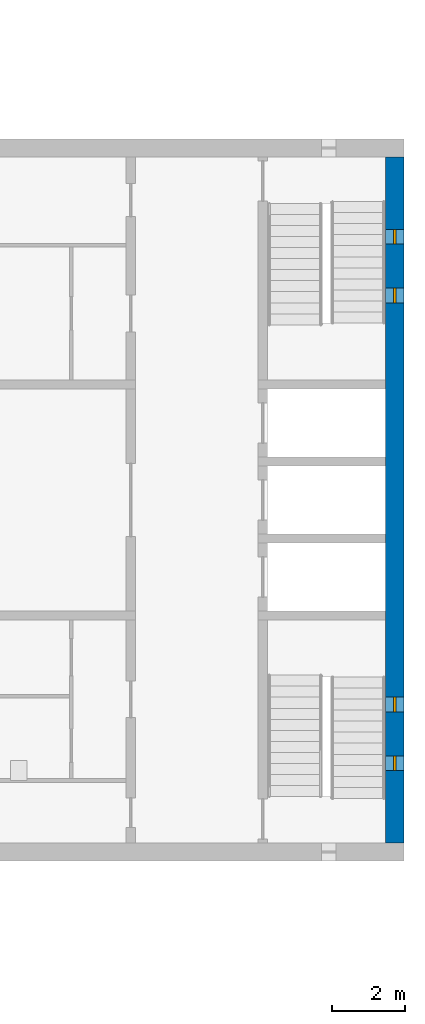
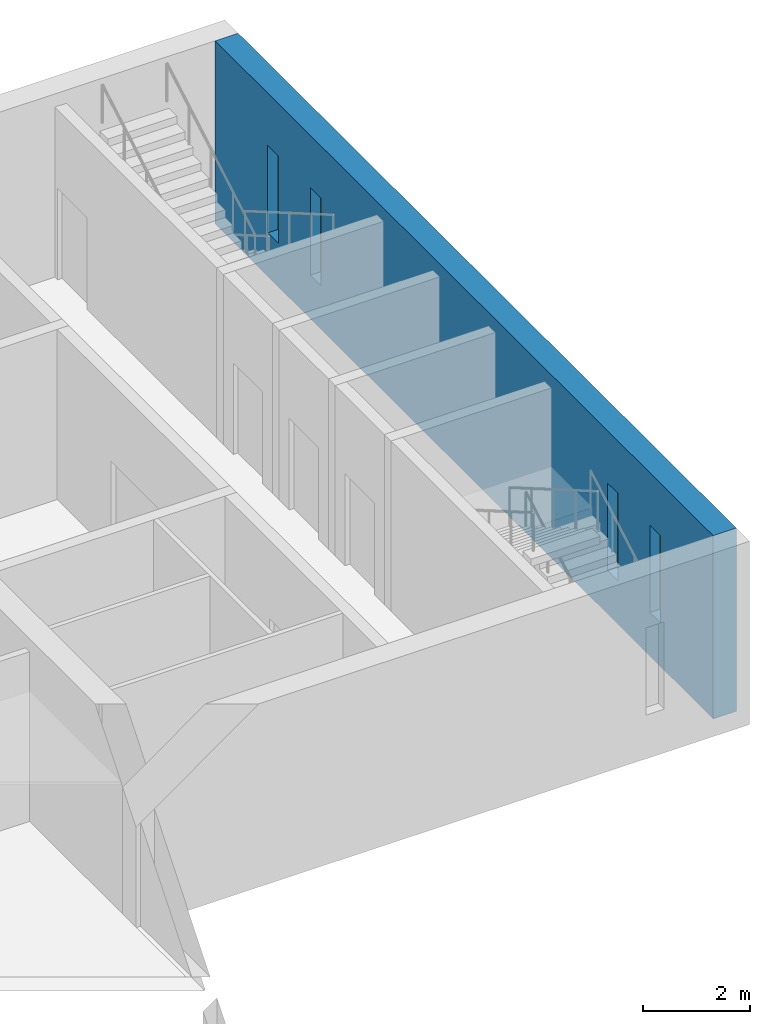
# One storey, part 12 of 15: 4 windows, 1 wall, 4 openings.
"""IFC4 building model written with IfcOpenShell, lengths in metres."""

from ifc_helpers import new_model, si_unit, direction, frame, frame_2d, origin, place, context, subcontext, project, spatial, rectangle, extrude, material, layer, layer_set, type_object, element, fill, save


model = new_model("IFC4")

# Units and contexts
model_context = context("Model", 3, precision=1e-05, world=origin(), true_north=direction((0.0, 1.0)))
body_context = subcontext(model_context, "Body", "Model", "MODEL_VIEW")
ifc_project = project(units=[si_unit("LENGTHUNIT", "METRE"), si_unit("AREAUNIT", "SQUARE_METRE"), si_unit("VOLUMEUNIT", "CUBIC_METRE"), si_unit("PLANEANGLEUNIT", "RADIAN"), si_unit("MASSUNIT", "GRAM", prefix="KILO")], contexts=[model_context])

# Site, building, storey
site_placement = place(None, origin())
site = spatial("IfcSite", under=ifc_project, at=site_placement, CompositionType="ELEMENT")
building_placement = place(site_placement, origin())
building = spatial("IfcBuilding", under=site, at=building_placement, Name="Fogon Plaza Fire Station and Headquarters Tower", CompositionType="ELEMENT")
storey_placement = place(building_placement, frame((0.0, 0.0, 60.0)))
storey = spatial("IfcBuildingStorey", under=building, at=storey_placement, Name="L15", CompositionType="ELEMENT", Elevation=60.0)

# Wall, openings, windows
ifc_material_1 = material(Name="Concrete C40", Category="concrete")
ifc_layer = layer(ifc_material_1, 0.5)
ifc_layer_set = layer_set([ifc_layer], Name="Concrete C40")
wall_type = type_object("IfcWallType", Name="Shear wall 500 SW50", PredefinedType="SHEAR", material=ifc_layer_set)
wall_placement = place(storey_placement, frame((76.800048828125, 33.85009765625, 0.0), z_axis=(0.0, 0.0, 1.0), x_axis=(0.0, 1.0, 0.0)))
wall = element("IfcWall", 1, at=wall_placement, inside=storey, type_object=wall_type, Name="wall-coreB-E-L15", PredefinedType="SHEAR", context=body_context, shape_type="SweptSolid", body=[
    extrude(rectangle(XDim=18.699951171875, YDim=0.5, at=frame_2d((9.35009765625, 0.0))), origin(), (0.0, 0.0, 1.0), 4.199951171875),
])
opening_1_placement = place(wall_placement, frame((1.97509765625, 0.0, 1.0)))
opening_1 = element("IfcOpeningElement", 2, at=opening_1_placement, cuts=wall, Name="Opening WS1", PredefinedType="OPENING", context=body_context, shape_type="SweptSolid", body=[
    extrude(rectangle(XDim=0.39990234375, YDim=2.0, at=frame_2d((0.199951171875, 1.0))), frame((0.0, 0.260009765625, 0.0), z_axis=(0.0, -1.0, 0.0), x_axis=(1.0, 0.0, 0.0)), (0.0, 0.0, 1.0), 0.52001953125),
])
opening_2_placement = place(wall_placement, frame((3.574951171875, 0.0, 1.0)))
opening_2 = element("IfcOpeningElement", 3, at=opening_2_placement, cuts=wall, Name="Opening WS1", PredefinedType="OPENING", context=body_context, shape_type="SweptSolid", body=[
    extrude(rectangle(XDim=0.39990234375, YDim=2.0, at=frame_2d((0.199951171875, 1.0))), frame((0.0, 0.260009765625, 0.0), z_axis=(0.0, -1.0, 0.0), x_axis=(1.0, 0.0, 0.0)), (0.0, 0.0, 1.0), 0.52001953125),
])
opening_3_placement = place(wall_placement, frame((14.72509765625, 0.0, 1.0)))
opening_3 = element("IfcOpeningElement", 4, at=opening_3_placement, cuts=wall, Name="Opening WS1", PredefinedType="OPENING", context=body_context, shape_type="SweptSolid", body=[
    extrude(rectangle(XDim=0.39990234375, YDim=2.0, at=frame_2d((0.199951171875, 1.0))), frame((0.0, 0.260009765625, 0.0), z_axis=(0.0, -1.0, 0.0), x_axis=(1.0, 0.0, 0.0)), (0.0, 0.0, 1.0), 0.52001953125),
])
opening_4_placement = place(wall_placement, frame((16.324951171875, 0.0, 1.0)))
opening_4 = element("IfcOpeningElement", 5, at=opening_4_placement, cuts=wall, Name="Opening WS1", PredefinedType="OPENING", context=body_context, shape_type="SweptSolid", body=[
    extrude(rectangle(XDim=0.39990234375, YDim=2.0, at=frame_2d((0.199951171875, 1.0))), frame((0.0, 0.260009765625, 0.0), z_axis=(0.0, -1.0, 0.0), x_axis=(1.0, 0.0, 0.0)), (0.0, 0.0, 1.0), 0.52001953125),
])
ifc_material_2 = material(Name="Aluminium framed double glazing", Category="aluminium")
window_type = type_object("IfcWindowType", Name="Slit Window WS1 400x2000", PartitioningType="SINGLE_PANEL", PredefinedType="WINDOW", material=ifc_material_2)
window_1_placement = place(opening_1_placement, origin())
window_1 = element("IfcWindow", 6, at=window_1_placement, inside=storey, type_object=window_type, Name="Slit window B1 L15", OverallHeight=2.0, OverallWidth=0.39990234375, PartitioningType="SINGLE_PANEL", PredefinedType="WINDOW", context=body_context, shape_type="SweptSolid", body=[
    extrude(rectangle(XDim=0.39990234375, YDim=2.0, at=frame_2d((0.199951171875, 1.0))), frame((0.0, 0.030029296875, 0.0), z_axis=(0.0, -1.0, 0.0), x_axis=(1.0, 0.0, 0.0)), (0.0, 0.0, 1.0), 0.06005859375),
])
fill(opening_1, window_1)
window_2_placement = place(opening_2_placement, origin())
window_2 = element("IfcWindow", 7, at=window_2_placement, inside=storey, type_object=window_type, Name="Slit window B2 L15", OverallHeight=2.0, OverallWidth=0.39990234375, PartitioningType="SINGLE_PANEL", PredefinedType="WINDOW", context=body_context, shape_type="SweptSolid", body=[
    extrude(rectangle(XDim=0.39990234375, YDim=2.0, at=frame_2d((0.199951171875, 1.0))), frame((0.0, 0.030029296875, 0.0), z_axis=(0.0, -1.0, 0.0), x_axis=(1.0, 0.0, 0.0)), (0.0, 0.0, 1.0), 0.06005859375),
])
fill(opening_2, window_2)
window_3_placement = place(opening_3_placement, origin())
window_3 = element("IfcWindow", 8, at=window_3_placement, inside=storey, type_object=window_type, Name="Slit window B3 L15", OverallHeight=2.0, OverallWidth=0.39990234375, PartitioningType="SINGLE_PANEL", PredefinedType="WINDOW", context=body_context, shape_type="SweptSolid", body=[
    extrude(rectangle(XDim=0.39990234375, YDim=2.0, at=frame_2d((0.199951171875, 1.0))), frame((0.0, 0.030029296875, 0.0), z_axis=(0.0, -1.0, 0.0), x_axis=(1.0, 0.0, 0.0)), (0.0, 0.0, 1.0), 0.06005859375),
])
fill(opening_3, window_3)
window_4_placement = place(opening_4_placement, origin())
window_4 = element("IfcWindow", 9, at=window_4_placement, inside=storey, type_object=window_type, Name="Slit window B4 L15", OverallHeight=2.0, OverallWidth=0.39990234375, PartitioningType="SINGLE_PANEL", PredefinedType="WINDOW", context=body_context, shape_type="SweptSolid", body=[
    extrude(rectangle(XDim=0.39990234375, YDim=2.0, at=frame_2d((0.199951171875, 1.0))), frame((0.0, 0.030029296875, 0.0), z_axis=(0.0, -1.0, 0.0), x_axis=(1.0, 0.0, 0.0)), (0.0, 0.0, 1.0), 0.06005859375),
])
fill(opening_4, window_4)

save(model, "model.ifc")
